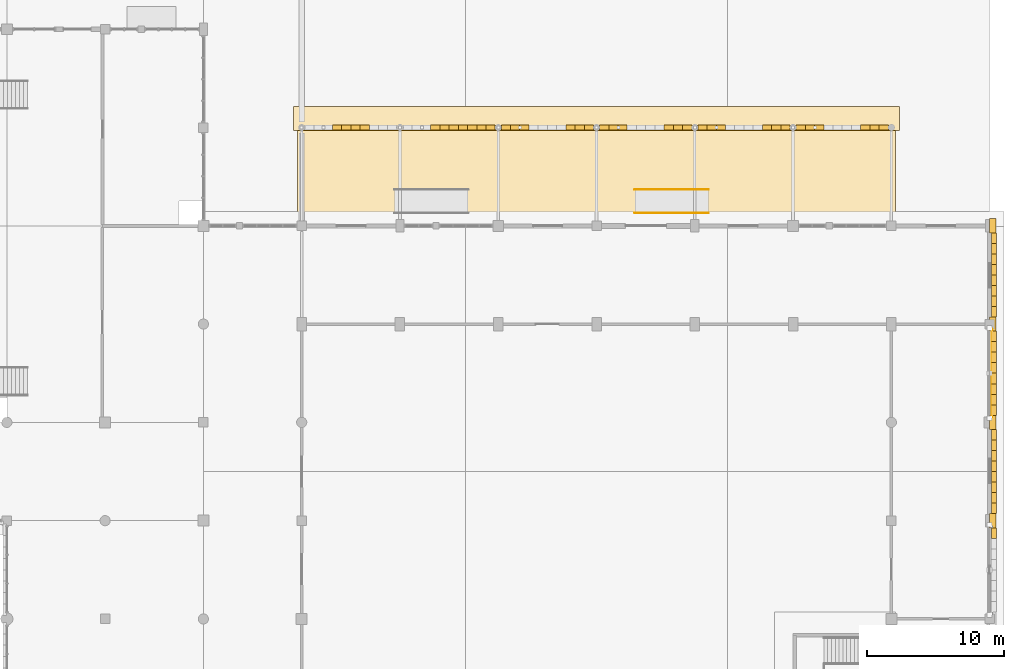
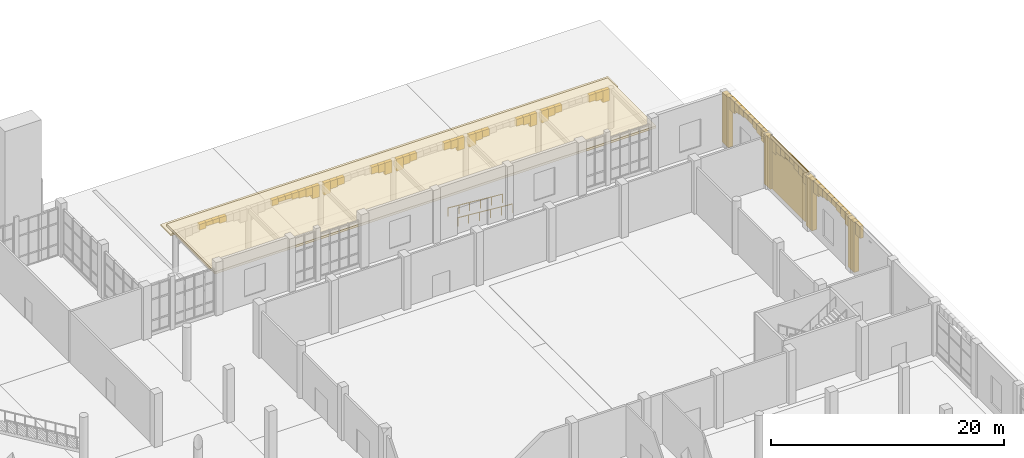
# One storey, part 84 of 85: 67 coverings, 2 railings.
"""IFC4 building model written with IfcOpenShell, lengths in metres."""

from ifc_helpers import new_model, si_unit, direction, frame, frame_2d, origin, origin_2d, place, context, subcontext, project, spatial, polyline, rectangle, circle, outline, extrude, material, layer, layer_set, type_object, element, save


model = new_model("IFC4")

# Units and contexts
model_context = context("Model", 3, precision=1e-05, world=origin(), true_north=direction((0.0, 1.0)))
body_context = subcontext(model_context, "Body", "Model", "MODEL_VIEW")
ifc_project = project(units=[si_unit("LENGTHUNIT", "METRE"), si_unit("AREAUNIT", "SQUARE_METRE"), si_unit("VOLUMEUNIT", "CUBIC_METRE"), si_unit("PLANEANGLEUNIT", "RADIAN"), si_unit("MASSUNIT", "GRAM", prefix="KILO")], contexts=[model_context])

# Site, building, storey
site_placement = place(None, origin())
site = spatial("IfcSite", under=ifc_project, at=site_placement, CompositionType="ELEMENT")
building_placement = place(site_placement, origin())
building = spatial("IfcBuilding", under=site, at=building_placement, Name="Sardonyx Promenade Sports Hall", CompositionType="ELEMENT")
storey_placement = place(building_placement, origin())
storey = spatial("IfcBuildingStorey", under=building, at=storey_placement, Name="L00", CompositionType="ELEMENT", Elevation=0.0)

# Coverings
ifc_material_1 = material(Name="Dressed Cape red sandstone cornice", Category="masonry")
ifc_layer_1 = layer(ifc_material_1, 0.139892578125)
ifc_layer_set_1 = layer_set([ifc_layer_1], Name="Cov_Chhajja_Eave")
covering_type_1 = type_object("IfcCoveringType", Name="Cov_Chhajja_Eave", PredefinedType="MOLDING", material=ifc_layer_set_1)
covering_1_placement = place(storey_placement, frame((0.0, 0.0, 4.050048828125)))
element("IfcCovering", 1, at=covering_1_placement, inside=storey, type_object=covering_type_1, Name="Harbourfront NE riwaq projecting chhajja cornice", PredefinedType="MOLDING", context=body_context, shape_type="SweptSolid", body=[
    extrude(outline(polyline([(114.60009765625, 93.39990234375), (159.0, 93.39990234375), (159.0, 95.14990234375), (114.60009765625, 95.14990234375), (114.60009765625, 93.39990234375)])), origin(), (0.0, 0.0, 1.0), 0.169921875),
])
ifc_material_2 = material(Name="Dressed Cape red sandstone ashlar", Category="masonry")
ifc_layer_2 = layer(ifc_material_2, 0.06005859375)
ifc_layer_set_2 = layer_set([ifc_layer_2], Name="Cov_Cladding_Sandstone")
covering_type_2 = type_object("IfcCoveringType", Name="Cov_Cladding_Sandstone", PredefinedType="CLADDING", material=ifc_layer_set_2)
covering_2_placement = place(storey_placement, frame((165.77490234375, 78.864990234375, 0.050048828125), z_axis=(0.0, 0.0, 1.0), x_axis=(0.0, -1.0, 0.0)))
element("IfcCovering", 2, at=covering_2_placement, inside=storey, type_object=covering_type_2, Name="Dressed sandstone ashlar cladding L00 #93", PredefinedType="CLADDING", context=body_context, shape_type="SweptSolid", body=[
    extrude(rectangle(XDim=6.47998046875, YDim=0.050048828125, at=frame_2d((3.239990234375, 0.0))), origin(), (0.0, 0.0, 1.0), 5.5),
])
covering_3_placement = place(storey_placement, origin())
element("IfcCovering", 3, at=covering_3_placement, inside=storey, type_object=covering_type_2, Name="East sandstone pier casing L00 #9", PredefinedType="CLADDING", context=body_context, shape_type="SweptSolid", body=[
    extrude(outline(polyline([(165.580078125, 64.280029296875), (166.080078125, 64.280029296875), (166.080078125, 65.320068359375), (165.580078125, 65.320068359375), (165.580078125, 64.280029296875)])), origin(), (0.0, 0.0, 1.0), 5.25),
])
covering_4_placement = place(storey_placement, origin())
element("IfcCovering", 4, at=covering_4_placement, inside=storey, type_object=covering_type_2, Name="East sandstone pier casing L00 #10", PredefinedType="CLADDING", context=body_context, shape_type="SweptSolid", body=[
    extrude(outline(polyline([(165.580078125, 71.47998046875), (166.080078125, 71.47998046875), (166.080078125, 72.52001953125), (165.580078125, 72.52001953125), (165.580078125, 71.47998046875)])), origin(), (0.0, 0.0, 1.0), 5.25),
])
covering_5_placement = place(storey_placement, origin())
element("IfcCovering", 5, at=covering_5_placement, inside=storey, type_object=covering_type_2, Name="East sandstone pier casing L00 #11", PredefinedType="CLADDING", context=body_context, shape_type="SweptSolid", body=[
    extrude(outline(polyline([(165.580078125, 78.679931640625), (166.080078125, 78.679931640625), (166.080078125, 79.719970703125), (165.580078125, 79.719970703125), (165.580078125, 78.679931640625)])), origin(), (0.0, 0.0, 1.0), 5.25),
])
covering_6_placement = place(storey_placement, origin())
element("IfcCovering", 6, at=covering_6_placement, inside=storey, type_object=covering_type_2, Name="East sandstone pier casing L00 #12", PredefinedType="CLADDING", context=body_context, shape_type="SweptSolid", body=[
    extrude(outline(polyline([(165.580078125, 85.8798828125), (166.080078125, 85.8798828125), (166.080078125, 86.919921875), (165.580078125, 86.919921875), (165.580078125, 85.8798828125)])), origin(), (0.0, 0.0, 1.0), 5.25),
])
ifc_material_3 = material(Name="Carved Cape red sandstone ashlar", Category="masonry")
ifc_layer_3 = layer(ifc_material_3, 0.239990234375)
ifc_layer_set_3 = layer_set([ifc_layer_3], Name="Cov_Mughal_Arch")
covering_type_3 = type_object("IfcCoveringType", Name="Cov_Mughal_Arch", PredefinedType="CLADDING", material=ifc_layer_set_3)
covering_7_placement = place(storey_placement, frame((117.447998046875, 93.60009765625, 3.63330078125), z_axis=(0.0, 0.0, 1.0), x_axis=(1.0, 0.0, 0.0)))
element("IfcCovering", 7, at=covering_7_placement, inside=storey, type_object=covering_type_3, Name="Mughal pointed-arch spandrel L00 cov:arch:ne:1 #4", PredefinedType="CLADDING", context=body_context, shape_type="SweptSolid", body=[
    extrude(rectangle(XDim=0.676025390625, YDim=0.340087890625, at=frame_2d((0.337890625, 0.0))), origin(), (0.0, 0.0, 1.0), 0.586669921875),
])
for number, where, z_axis, x_axis, name in (
    (8, (118.1240234375, 93.60009765625, 3.81103515625), (0.0, 0.0, 1.0), (1.0, 0.0, 0.0), "Mughal pointed-arch spandrel L00 cov:arch:ne:1 #5"),
    (9, (118.800048828125, 93.60009765625, 3.81103515625), (0.0, 0.0, 1.0), (1.0, 0.0, 0.0), "Mughal pointed-arch spandrel L00 cov:arch:ne:1 #6"),
):
    element("IfcCovering", number, at=place(storey_placement, frame(where, z_axis=z_axis, x_axis=x_axis)), inside=storey, type_object=covering_type_3, Name=name, PredefinedType="CLADDING", context=body_context, shape_type="SweptSolid", body=[
        extrude(rectangle(XDim=0.676025390625, YDim=0.340087890625, at=frame_2d((0.337890625, 0.0))), origin(), (0.0, 0.0, 1.0), 0.408935546875),
    ])
for number, where, z_axis, x_axis, name in (
    (10, (119.47607421875, 93.60009765625, 3.63330078125), (0.0, 0.0, 1.0), (1.0, 0.0, 0.0), "Mughal pointed-arch spandrel L00 cov:arch:ne:1 #7"),
    (11, (124.64794921875, 93.60009765625, 3.63330078125), (0.0, 0.0, 1.0), (1.0, 0.0, 0.0), "Mughal pointed-arch spandrel L00 cov:arch:ne:2 #4"),
):
    element("IfcCovering", number, at=place(storey_placement, frame(where, z_axis=z_axis, x_axis=x_axis)), inside=storey, type_object=covering_type_3, Name=name, PredefinedType="CLADDING", context=body_context, shape_type="SweptSolid", body=[
        extrude(rectangle(XDim=0.676025390625, YDim=0.340087890625, at=frame_2d((0.337890625, 0.0))), origin(), (0.0, 0.0, 1.0), 0.586669921875),
    ])
for number, where, z_axis, x_axis, name in (
    (12, (125.323974609375, 93.60009765625, 3.81103515625), (0.0, 0.0, 1.0), (1.0, 0.0, 0.0), "Mughal pointed-arch spandrel L00 cov:arch:ne:2 #5"),
    (13, (126.0, 93.60009765625, 3.81103515625), (0.0, 0.0, 1.0), (1.0, 0.0, 0.0), "Mughal pointed-arch spandrel L00 cov:arch:ne:2 #6"),
):
    element("IfcCovering", number, at=place(storey_placement, frame(where, z_axis=z_axis, x_axis=x_axis)), inside=storey, type_object=covering_type_3, Name=name, PredefinedType="CLADDING", context=body_context, shape_type="SweptSolid", body=[
        extrude(rectangle(XDim=0.676025390625, YDim=0.340087890625, at=frame_2d((0.337890625, 0.0))), origin(), (0.0, 0.0, 1.0), 0.408935546875),
    ])
covering_8_placement = place(storey_placement, frame((126.676025390625, 93.60009765625, 3.63330078125), z_axis=(0.0, 0.0, 1.0), x_axis=(1.0, 0.0, 0.0)))
element("IfcCovering", 14, at=covering_8_placement, inside=storey, type_object=covering_type_3, Name="Mughal pointed-arch spandrel L00 cov:arch:ne:2 #7", PredefinedType="CLADDING", context=body_context, shape_type="SweptSolid", body=[
    extrude(rectangle(XDim=0.676025390625, YDim=0.340087890625, at=frame_2d((0.337890625, 0.0))), origin(), (0.0, 0.0, 1.0), 0.586669921875),
])
covering_9_placement = place(storey_placement, frame((127.35205078125, 93.60009765625, 3.506103515625), z_axis=(0.0, 0.0, 1.0), x_axis=(1.0, 0.0, 0.0)))
element("IfcCovering", 15, at=covering_9_placement, inside=storey, type_object=covering_type_3, Name="Mughal pointed-arch spandrel L00 cov:arch:ne:2 #8", PredefinedType="CLADDING", context=body_context, shape_type="SweptSolid", body=[
    extrude(rectangle(XDim=0.676025390625, YDim=0.340087890625, at=frame_2d((0.337890625, 0.0))), origin(), (0.0, 0.0, 1.0), 0.7138671875),
])
covering_10_placement = place(storey_placement, frame((128.028076171875, 93.60009765625, 3.38671875), z_axis=(0.0, 0.0, 1.0), x_axis=(1.0, 0.0, 0.0)))
element("IfcCovering", 16, at=covering_10_placement, inside=storey, type_object=covering_type_3, Name="Mughal pointed-arch spandrel L00 cov:arch:ne:2 #9", PredefinedType="CLADDING", context=body_context, shape_type="SweptSolid", body=[
    extrude(rectangle(XDim=0.676025390625, YDim=0.340087890625, at=frame_2d((0.337890625, 0.0))), origin(), (0.0, 0.0, 1.0), 0.833251953125),
])
covering_11_placement = place(storey_placement, frame((128.7041015625, 93.60009765625, 2.977783203125), z_axis=(0.0, 0.0, 1.0), x_axis=(1.0, 0.0, 0.0)))
element("IfcCovering", 17, at=covering_11_placement, inside=storey, type_object=covering_type_3, Name="Mughal pointed-arch spandrel L00 cov:arch:ne:2 #10", PredefinedType="CLADDING", context=body_context, shape_type="SweptSolid", body=[
    extrude(rectangle(XDim=0.67578125, YDim=0.340087890625, at=frame_2d((0.337890625, 0.0))), origin(), (0.0, 0.0, 1.0), 1.2421875),
])
covering_12_placement = place(storey_placement, frame((129.820068359375, 93.60009765625, 2.977783203125), z_axis=(0.0, 0.0, 1.0), x_axis=(1.0, 0.0, 0.0)))
element("IfcCovering", 18, at=covering_12_placement, inside=storey, type_object=covering_type_3, Name="Mughal pointed-arch spandrel L00 cov:arch:ne:3 #1", PredefinedType="CLADDING", context=body_context, shape_type="SweptSolid", body=[
    extrude(rectangle(XDim=0.676025390625, YDim=0.340087890625, at=frame_2d((0.337890625, 0.0))), origin(), (0.0, 0.0, 1.0), 1.2421875),
])
covering_13_placement = place(storey_placement, frame((130.49609375, 93.60009765625, 3.38671875), z_axis=(0.0, 0.0, 1.0), x_axis=(1.0, 0.0, 0.0)))
element("IfcCovering", 19, at=covering_13_placement, inside=storey, type_object=covering_type_3, Name="Mughal pointed-arch spandrel L00 cov:arch:ne:3 #2", PredefinedType="CLADDING", context=body_context, shape_type="SweptSolid", body=[
    extrude(rectangle(XDim=0.676025390625, YDim=0.340087890625, at=frame_2d((0.337890625, 0.0))), origin(), (0.0, 0.0, 1.0), 0.833251953125),
])
covering_14_placement = place(storey_placement, frame((131.172119140625, 93.60009765625, 3.506103515625), z_axis=(0.0, 0.0, 1.0), x_axis=(1.0, 0.0, 0.0)))
element("IfcCovering", 20, at=covering_14_placement, inside=storey, type_object=covering_type_3, Name="Mughal pointed-arch spandrel L00 cov:arch:ne:3 #3", PredefinedType="CLADDING", context=body_context, shape_type="SweptSolid", body=[
    extrude(rectangle(XDim=0.67578125, YDim=0.340087890625, at=frame_2d((0.337890625, 0.0))), origin(), (0.0, 0.0, 1.0), 0.7138671875),
])
covering_15_placement = place(storey_placement, frame((134.552001953125, 93.60009765625, 3.506103515625), z_axis=(0.0, 0.0, 1.0), x_axis=(1.0, 0.0, 0.0)))
element("IfcCovering", 21, at=covering_15_placement, inside=storey, type_object=covering_type_3, Name="Mughal pointed-arch spandrel L00 cov:arch:ne:3 #8", PredefinedType="CLADDING", context=body_context, shape_type="SweptSolid", body=[
    extrude(rectangle(XDim=0.676025390625, YDim=0.340087890625, at=frame_2d((0.337890625, 0.0))), origin(), (0.0, 0.0, 1.0), 0.7138671875),
])
covering_16_placement = place(storey_placement, frame((135.22802734375, 93.60009765625, 3.38671875), z_axis=(0.0, 0.0, 1.0), x_axis=(1.0, 0.0, 0.0)))
element("IfcCovering", 22, at=covering_16_placement, inside=storey, type_object=covering_type_3, Name="Mughal pointed-arch spandrel L00 cov:arch:ne:3 #9", PredefinedType="CLADDING", context=body_context, shape_type="SweptSolid", body=[
    extrude(rectangle(XDim=0.676025390625, YDim=0.340087890625, at=frame_2d((0.337890625, 0.0))), origin(), (0.0, 0.0, 1.0), 0.833251953125),
])
for number, where, z_axis, x_axis, name in (
    (23, (135.904052734375, 93.60009765625, 2.977783203125), (0.0, 0.0, 1.0), (1.0, 0.0, 0.0), "Mughal pointed-arch spandrel L00 cov:arch:ne:3 #10"),
    (24, (137.02001953125, 93.60009765625, 2.977783203125), (0.0, 0.0, 1.0), (1.0, 0.0, 0.0), "Mughal pointed-arch spandrel L00 cov:arch:ne:4 #1"),
):
    element("IfcCovering", number, at=place(storey_placement, frame(where, z_axis=z_axis, x_axis=x_axis)), inside=storey, type_object=covering_type_3, Name=name, PredefinedType="CLADDING", context=body_context, shape_type="SweptSolid", body=[
        extrude(rectangle(XDim=0.676025390625, YDim=0.340087890625, at=frame_2d((0.337890625, 0.0))), origin(), (0.0, 0.0, 1.0), 1.2421875),
    ])
covering_17_placement = place(storey_placement, frame((137.696044921875, 93.60009765625, 3.38671875), z_axis=(0.0, 0.0, 1.0), x_axis=(1.0, 0.0, 0.0)))
element("IfcCovering", 25, at=covering_17_placement, inside=storey, type_object=covering_type_3, Name="Mughal pointed-arch spandrel L00 cov:arch:ne:4 #2", PredefinedType="CLADDING", context=body_context, shape_type="SweptSolid", body=[
    extrude(rectangle(XDim=0.676025390625, YDim=0.340087890625, at=frame_2d((0.337890625, 0.0))), origin(), (0.0, 0.0, 1.0), 0.833251953125),
])
for number, where, z_axis, x_axis, name in (
    (26, (138.3720703125, 93.60009765625, 3.506103515625), (0.0, 0.0, 1.0), (1.0, 0.0, 0.0), "Mughal pointed-arch spandrel L00 cov:arch:ne:4 #3"),
    (27, (141.751953125, 93.60009765625, 3.506103515625), (0.0, 0.0, 1.0), (1.0, 0.0, 0.0), "Mughal pointed-arch spandrel L00 cov:arch:ne:4 #8"),
):
    element("IfcCovering", number, at=place(storey_placement, frame(where, z_axis=z_axis, x_axis=x_axis)), inside=storey, type_object=covering_type_3, Name=name, PredefinedType="CLADDING", context=body_context, shape_type="SweptSolid", body=[
        extrude(rectangle(XDim=0.676025390625, YDim=0.340087890625, at=frame_2d((0.337890625, 0.0))), origin(), (0.0, 0.0, 1.0), 0.7138671875),
    ])
covering_18_placement = place(storey_placement, frame((142.427978515625, 93.60009765625, 3.38671875), z_axis=(0.0, 0.0, 1.0), x_axis=(1.0, 0.0, 0.0)))
element("IfcCovering", 28, at=covering_18_placement, inside=storey, type_object=covering_type_3, Name="Mughal pointed-arch spandrel L00 cov:arch:ne:4 #9", PredefinedType="CLADDING", context=body_context, shape_type="SweptSolid", body=[
    extrude(rectangle(XDim=0.676025390625, YDim=0.340087890625, at=frame_2d((0.337890625, 0.0))), origin(), (0.0, 0.0, 1.0), 0.833251953125),
])
for number, where, z_axis, x_axis, name in (
    (29, (143.10400390625, 93.60009765625, 2.977783203125), (0.0, 0.0, 1.0), (1.0, 0.0, 0.0), "Mughal pointed-arch spandrel L00 cov:arch:ne:4 #10"),
    (30, (144.219970703125, 93.60009765625, 2.977783203125), (0.0, 0.0, 1.0), (1.0, 0.0, 0.0), "Mughal pointed-arch spandrel L00 cov:arch:ne:5 #1"),
):
    element("IfcCovering", number, at=place(storey_placement, frame(where, z_axis=z_axis, x_axis=x_axis)), inside=storey, type_object=covering_type_3, Name=name, PredefinedType="CLADDING", context=body_context, shape_type="SweptSolid", body=[
        extrude(rectangle(XDim=0.676025390625, YDim=0.340087890625, at=frame_2d((0.337890625, 0.0))), origin(), (0.0, 0.0, 1.0), 1.2421875),
    ])
covering_19_placement = place(storey_placement, frame((144.89599609375, 93.60009765625, 3.38671875), z_axis=(0.0, 0.0, 1.0), x_axis=(1.0, 0.0, 0.0)))
element("IfcCovering", 31, at=covering_19_placement, inside=storey, type_object=covering_type_3, Name="Mughal pointed-arch spandrel L00 cov:arch:ne:5 #2", PredefinedType="CLADDING", context=body_context, shape_type="SweptSolid", body=[
    extrude(rectangle(XDim=0.676025390625, YDim=0.340087890625, at=frame_2d((0.337890625, 0.0))), origin(), (0.0, 0.0, 1.0), 0.833251953125),
])
for number, where, z_axis, x_axis, name in (
    (32, (145.572021484375, 93.60009765625, 3.506103515625), (0.0, 0.0, 1.0), (1.0, 0.0, 0.0), "Mughal pointed-arch spandrel L00 cov:arch:ne:5 #3"),
    (33, (148.951904296875, 93.60009765625, 3.506103515625), (0.0, 0.0, 1.0), (1.0, 0.0, 0.0), "Mughal pointed-arch spandrel L00 cov:arch:ne:5 #8"),
):
    element("IfcCovering", number, at=place(storey_placement, frame(where, z_axis=z_axis, x_axis=x_axis)), inside=storey, type_object=covering_type_3, Name=name, PredefinedType="CLADDING", context=body_context, shape_type="SweptSolid", body=[
        extrude(rectangle(XDim=0.676025390625, YDim=0.340087890625, at=frame_2d((0.337890625, 0.0))), origin(), (0.0, 0.0, 1.0), 0.7138671875),
    ])
covering_20_placement = place(storey_placement, frame((149.6279296875, 93.60009765625, 3.38671875), z_axis=(0.0, 0.0, 1.0), x_axis=(1.0, 0.0, 0.0)))
element("IfcCovering", 34, at=covering_20_placement, inside=storey, type_object=covering_type_3, Name="Mughal pointed-arch spandrel L00 cov:arch:ne:5 #9", PredefinedType="CLADDING", context=body_context, shape_type="SweptSolid", body=[
    extrude(rectangle(XDim=0.676025390625, YDim=0.340087890625, at=frame_2d((0.337890625, 0.0))), origin(), (0.0, 0.0, 1.0), 0.833251953125),
])
for number, where, z_axis, x_axis, name in (
    (35, (150.303955078125, 93.60009765625, 2.977783203125), (0.0, 0.0, 1.0), (1.0, 0.0, 0.0), "Mughal pointed-arch spandrel L00 cov:arch:ne:5 #10"),
    (36, (151.419921875, 93.60009765625, 2.977783203125), (0.0, 0.0, 1.0), (1.0, 0.0, 0.0), "Mughal pointed-arch spandrel L00 cov:arch:ne:6 #1"),
):
    element("IfcCovering", number, at=place(storey_placement, frame(where, z_axis=z_axis, x_axis=x_axis)), inside=storey, type_object=covering_type_3, Name=name, PredefinedType="CLADDING", context=body_context, shape_type="SweptSolid", body=[
        extrude(rectangle(XDim=0.676025390625, YDim=0.340087890625, at=frame_2d((0.337890625, 0.0))), origin(), (0.0, 0.0, 1.0), 1.2421875),
    ])
covering_21_placement = place(storey_placement, frame((152.095947265625, 93.60009765625, 3.38671875), z_axis=(0.0, 0.0, 1.0), x_axis=(1.0, 0.0, 0.0)))
element("IfcCovering", 37, at=covering_21_placement, inside=storey, type_object=covering_type_3, Name="Mughal pointed-arch spandrel L00 cov:arch:ne:6 #2", PredefinedType="CLADDING", context=body_context, shape_type="SweptSolid", body=[
    extrude(rectangle(XDim=0.676025390625, YDim=0.340087890625, at=frame_2d((0.337890625, 0.0))), origin(), (0.0, 0.0, 1.0), 0.833251953125),
])
covering_22_placement = place(storey_placement, frame((152.77197265625, 93.60009765625, 3.506103515625), z_axis=(0.0, 0.0, 1.0), x_axis=(1.0, 0.0, 0.0)))
element("IfcCovering", 38, at=covering_22_placement, inside=storey, type_object=covering_type_3, Name="Mughal pointed-arch spandrel L00 cov:arch:ne:6 #3", PredefinedType="CLADDING", context=body_context, shape_type="SweptSolid", body=[
    extrude(rectangle(XDim=0.676025390625, YDim=0.340087890625, at=frame_2d((0.337890625, 0.0))), origin(), (0.0, 0.0, 1.0), 0.7138671875),
])
covering_23_placement = place(storey_placement, frame((156.152099609375, 93.60009765625, 3.506103515625), z_axis=(0.0, 0.0, 1.0), x_axis=(1.0, 0.0, 0.0)))
element("IfcCovering", 39, at=covering_23_placement, inside=storey, type_object=covering_type_3, Name="Mughal pointed-arch spandrel L00 cov:arch:ne:6 #8", PredefinedType="CLADDING", context=body_context, shape_type="SweptSolid", body=[
    extrude(rectangle(XDim=0.67578125, YDim=0.340087890625, at=frame_2d((0.337890625, 0.0))), origin(), (0.0, 0.0, 1.0), 0.7138671875),
])
covering_24_placement = place(storey_placement, frame((156.827880859375, 93.60009765625, 3.38671875), z_axis=(0.0, 0.0, 1.0), x_axis=(1.0, 0.0, 0.0)))
element("IfcCovering", 40, at=covering_24_placement, inside=storey, type_object=covering_type_3, Name="Mughal pointed-arch spandrel L00 cov:arch:ne:6 #9", PredefinedType="CLADDING", context=body_context, shape_type="SweptSolid", body=[
    extrude(rectangle(XDim=0.676025390625, YDim=0.340087890625, at=frame_2d((0.337890625, 0.0))), origin(), (0.0, 0.0, 1.0), 0.833251953125),
])
covering_25_placement = place(storey_placement, frame((157.50390625, 93.60009765625, 2.977783203125), z_axis=(0.0, 0.0, 1.0), x_axis=(1.0, 0.0, 0.0)))
element("IfcCovering", 41, at=covering_25_placement, inside=storey, type_object=covering_type_3, Name="Mughal pointed-arch spandrel L00 cov:arch:ne:6 #10", PredefinedType="CLADDING", context=body_context, shape_type="SweptSolid", body=[
    extrude(rectangle(XDim=0.676025390625, YDim=0.340087890625, at=frame_2d((0.337890625, 0.0))), origin(), (0.0, 0.0, 1.0), 1.2421875),
])
for number, where, z_axis, x_axis, name in (
    (42, (165.919921875, 63.510009765625, 3.977783203125), (0.0, 0.0, 1.0), (0.0, 1.0, 0.0), "Mughal pointed-arch spandrel L00 cov:el00arch:08 #8"),
    (43, (165.919921875, 65.320068359375, 3.977783203125), (0.0, 0.0, 1.0), (0.0, 1.0, 0.0), "Mughal pointed-arch spandrel L00 cov:el00arch:09 #1"),
):
    element("IfcCovering", number, at=place(storey_placement, frame(where, z_axis=z_axis, x_axis=x_axis)), inside=storey, type_object=covering_type_3, Name=name, PredefinedType="CLADDING", context=body_context, shape_type="SweptSolid", body=[
        extrude(rectangle(XDim=0.77001953125, YDim=0.340087890625, at=frame_2d((0.385009765625, 0.0))), origin(), (0.0, 0.0, 1.0), 1.272216796875),
    ])
covering_26_placement = place(storey_placement, frame((165.919921875, 66.090087890625, 4.3671875), z_axis=(0.0, 0.0, 1.0), x_axis=(0.0, 1.0, 0.0)))
element("IfcCovering", 44, at=covering_26_placement, inside=storey, type_object=covering_type_3, Name="Mughal pointed-arch spandrel L00 cov:el00arch:09 #2", PredefinedType="CLADDING", context=body_context, shape_type="SweptSolid", body=[
    extrude(rectangle(XDim=0.77001953125, YDim=0.340087890625, at=frame_2d((0.385009765625, 0.0))), origin(), (0.0, 0.0, 1.0), 0.8828125),
])
covering_27_placement = place(storey_placement, frame((165.919921875, 66.860107421875, 4.51220703125), z_axis=(0.0, 0.0, 1.0), x_axis=(0.0, 1.0, 0.0)))
element("IfcCovering", 45, at=covering_27_placement, inside=storey, type_object=covering_type_3, Name="Mughal pointed-arch spandrel L00 cov:el00arch:09 #3", PredefinedType="CLADDING", context=body_context, shape_type="SweptSolid", body=[
    extrude(rectangle(XDim=0.769775390625, YDim=0.340087890625, at=frame_2d((0.384765625, 0.0))), origin(), (0.0, 0.0, 1.0), 0.73779296875),
])
for number, where, z_axis, x_axis, name in (
    (46, (165.919921875, 67.6298828125, 4.69775390625), (0.0, 0.0, 1.0), (0.0, 1.0, 0.0), "Mughal pointed-arch spandrel L00 cov:el00arch:09 #4"),
    (47, (165.919921875, 68.39990234375, 4.69775390625), (0.0, 0.0, 1.0), (0.0, 1.0, 0.0), "Mughal pointed-arch spandrel L00 cov:el00arch:09 #5"),
):
    element("IfcCovering", number, at=place(storey_placement, frame(where, z_axis=z_axis, x_axis=x_axis)), inside=storey, type_object=covering_type_3, Name=name, PredefinedType="CLADDING", context=body_context, shape_type="SweptSolid", body=[
        extrude(rectangle(XDim=0.77001953125, YDim=0.340087890625, at=frame_2d((0.385009765625, 0.0))), origin(), (0.0, 0.0, 1.0), 0.55224609375),
    ])
covering_28_placement = place(storey_placement, frame((165.919921875, 69.169921875, 4.51220703125), z_axis=(0.0, 0.0, 1.0), x_axis=(0.0, 1.0, 0.0)))
element("IfcCovering", 48, at=covering_28_placement, inside=storey, type_object=covering_type_3, Name="Mughal pointed-arch spandrel L00 cov:el00arch:09 #6", PredefinedType="CLADDING", context=body_context, shape_type="SweptSolid", body=[
    extrude(rectangle(XDim=0.77001953125, YDim=0.340087890625, at=frame_2d((0.385009765625, 0.0))), origin(), (0.0, 0.0, 1.0), 0.73779296875),
])
covering_29_placement = place(storey_placement, frame((165.919921875, 69.93994140625, 4.3671875), z_axis=(0.0, 0.0, 1.0), x_axis=(0.0, 1.0, 0.0)))
element("IfcCovering", 49, at=covering_29_placement, inside=storey, type_object=covering_type_3, Name="Mughal pointed-arch spandrel L00 cov:el00arch:09 #7", PredefinedType="CLADDING", context=body_context, shape_type="SweptSolid", body=[
    extrude(rectangle(XDim=0.77001953125, YDim=0.340087890625, at=frame_2d((0.385009765625, 0.0))), origin(), (0.0, 0.0, 1.0), 0.8828125),
])
for number, where, z_axis, x_axis, name in (
    (50, (165.919921875, 70.7099609375, 3.977783203125), (0.0, 0.0, 1.0), (0.0, 1.0, 0.0), "Mughal pointed-arch spandrel L00 cov:el00arch:09 #8"),
    (51, (165.919921875, 72.52001953125, 3.977783203125), (0.0, 0.0, 1.0), (0.0, 1.0, 0.0), "Mughal pointed-arch spandrel L00 cov:el00arch:10 #1"),
):
    element("IfcCovering", number, at=place(storey_placement, frame(where, z_axis=z_axis, x_axis=x_axis)), inside=storey, type_object=covering_type_3, Name=name, PredefinedType="CLADDING", context=body_context, shape_type="SweptSolid", body=[
        extrude(rectangle(XDim=0.77001953125, YDim=0.340087890625, at=frame_2d((0.385009765625, 0.0))), origin(), (0.0, 0.0, 1.0), 1.272216796875),
    ])
covering_30_placement = place(storey_placement, frame((165.919921875, 73.2900390625, 4.3671875), z_axis=(0.0, 0.0, 1.0), x_axis=(0.0, 1.0, 0.0)))
element("IfcCovering", 52, at=covering_30_placement, inside=storey, type_object=covering_type_3, Name="Mughal pointed-arch spandrel L00 cov:el00arch:10 #2", PredefinedType="CLADDING", context=body_context, shape_type="SweptSolid", body=[
    extrude(rectangle(XDim=0.77001953125, YDim=0.340087890625, at=frame_2d((0.385009765625, 0.0))), origin(), (0.0, 0.0, 1.0), 0.8828125),
])
covering_31_placement = place(storey_placement, frame((165.919921875, 74.06005859375, 4.51220703125), z_axis=(0.0, 0.0, 1.0), x_axis=(0.0, 1.0, 0.0)))
element("IfcCovering", 53, at=covering_31_placement, inside=storey, type_object=covering_type_3, Name="Mughal pointed-arch spandrel L00 cov:el00arch:10 #3", PredefinedType="CLADDING", context=body_context, shape_type="SweptSolid", body=[
    extrude(rectangle(XDim=0.77001953125, YDim=0.340087890625, at=frame_2d((0.385009765625, 0.0))), origin(), (0.0, 0.0, 1.0), 0.73779296875),
])
for number, where, z_axis, x_axis, name in (
    (54, (165.919921875, 74.830078125, 4.69775390625), (0.0, 0.0, 1.0), (0.0, 1.0, 0.0), "Mughal pointed-arch spandrel L00 cov:el00arch:10 #4"),
    (55, (165.919921875, 75.60009765625, 4.69775390625), (0.0, 0.0, 1.0), (0.0, 1.0, 0.0), "Mughal pointed-arch spandrel L00 cov:el00arch:10 #5"),
):
    element("IfcCovering", number, at=place(storey_placement, frame(where, z_axis=z_axis, x_axis=x_axis)), inside=storey, type_object=covering_type_3, Name=name, PredefinedType="CLADDING", context=body_context, shape_type="SweptSolid", body=[
        extrude(rectangle(XDim=0.77001953125, YDim=0.340087890625, at=frame_2d((0.385009765625, 0.0))), origin(), (0.0, 0.0, 1.0), 0.55224609375),
    ])
covering_32_placement = place(storey_placement, frame((165.919921875, 76.3701171875, 4.51220703125), z_axis=(0.0, 0.0, 1.0), x_axis=(0.0, 1.0, 0.0)))
element("IfcCovering", 56, at=covering_32_placement, inside=storey, type_object=covering_type_3, Name="Mughal pointed-arch spandrel L00 cov:el00arch:10 #6", PredefinedType="CLADDING", context=body_context, shape_type="SweptSolid", body=[
    extrude(rectangle(XDim=0.769775390625, YDim=0.340087890625, at=frame_2d((0.384765625, 0.0))), origin(), (0.0, 0.0, 1.0), 0.73779296875),
])
covering_33_placement = place(storey_placement, frame((165.919921875, 77.139892578125, 4.3671875), z_axis=(0.0, 0.0, 1.0), x_axis=(0.0, 1.0, 0.0)))
element("IfcCovering", 57, at=covering_33_placement, inside=storey, type_object=covering_type_3, Name="Mughal pointed-arch spandrel L00 cov:el00arch:10 #7", PredefinedType="CLADDING", context=body_context, shape_type="SweptSolid", body=[
    extrude(rectangle(XDim=0.77001953125, YDim=0.340087890625, at=frame_2d((0.385009765625, 0.0))), origin(), (0.0, 0.0, 1.0), 0.8828125),
])
for number, where, z_axis, x_axis, name in (
    (58, (165.919921875, 77.909912109375, 3.977783203125), (0.0, 0.0, 1.0), (0.0, 1.0, 0.0), "Mughal pointed-arch spandrel L00 cov:el00arch:10 #8"),
    (59, (165.919921875, 79.719970703125, 3.977783203125), (0.0, 0.0, 1.0), (0.0, 1.0, 0.0), "Mughal pointed-arch spandrel L00 cov:el00arch:11 #1"),
):
    element("IfcCovering", number, at=place(storey_placement, frame(where, z_axis=z_axis, x_axis=x_axis)), inside=storey, type_object=covering_type_3, Name=name, PredefinedType="CLADDING", context=body_context, shape_type="SweptSolid", body=[
        extrude(rectangle(XDim=0.77001953125, YDim=0.340087890625, at=frame_2d((0.385009765625, 0.0))), origin(), (0.0, 0.0, 1.0), 1.272216796875),
    ])
covering_34_placement = place(storey_placement, frame((165.919921875, 80.489990234375, 4.3671875), z_axis=(0.0, 0.0, 1.0), x_axis=(0.0, 1.0, 0.0)))
element("IfcCovering", 60, at=covering_34_placement, inside=storey, type_object=covering_type_3, Name="Mughal pointed-arch spandrel L00 cov:el00arch:11 #2", PredefinedType="CLADDING", context=body_context, shape_type="SweptSolid", body=[
    extrude(rectangle(XDim=0.77001953125, YDim=0.340087890625, at=frame_2d((0.385009765625, 0.0))), origin(), (0.0, 0.0, 1.0), 0.8828125),
])
covering_35_placement = place(storey_placement, frame((165.919921875, 81.260009765625, 4.51220703125), z_axis=(0.0, 0.0, 1.0), x_axis=(0.0, 1.0, 0.0)))
element("IfcCovering", 61, at=covering_35_placement, inside=storey, type_object=covering_type_3, Name="Mughal pointed-arch spandrel L00 cov:el00arch:11 #3", PredefinedType="CLADDING", context=body_context, shape_type="SweptSolid", body=[
    extrude(rectangle(XDim=0.77001953125, YDim=0.340087890625, at=frame_2d((0.385009765625, 0.0))), origin(), (0.0, 0.0, 1.0), 0.73779296875),
])
for number, where, z_axis, x_axis, name in (
    (62, (165.919921875, 82.030029296875, 4.69775390625), (0.0, 0.0, 1.0), (0.0, 1.0, 0.0), "Mughal pointed-arch spandrel L00 cov:el00arch:11 #4"),
    (63, (165.919921875, 82.800048828125, 4.69775390625), (0.0, 0.0, 1.0), (0.0, 1.0, 0.0), "Mughal pointed-arch spandrel L00 cov:el00arch:11 #5"),
):
    element("IfcCovering", number, at=place(storey_placement, frame(where, z_axis=z_axis, x_axis=x_axis)), inside=storey, type_object=covering_type_3, Name=name, PredefinedType="CLADDING", context=body_context, shape_type="SweptSolid", body=[
        extrude(rectangle(XDim=0.77001953125, YDim=0.340087890625, at=frame_2d((0.385009765625, 0.0))), origin(), (0.0, 0.0, 1.0), 0.55224609375),
    ])
covering_36_placement = place(storey_placement, frame((165.919921875, 83.570068359375, 4.51220703125), z_axis=(0.0, 0.0, 1.0), x_axis=(0.0, 1.0, 0.0)))
element("IfcCovering", 64, at=covering_36_placement, inside=storey, type_object=covering_type_3, Name="Mughal pointed-arch spandrel L00 cov:el00arch:11 #6", PredefinedType="CLADDING", context=body_context, shape_type="SweptSolid", body=[
    extrude(rectangle(XDim=0.77001953125, YDim=0.340087890625, at=frame_2d((0.385009765625, 0.0))), origin(), (0.0, 0.0, 1.0), 0.73779296875),
])
covering_37_placement = place(storey_placement, frame((165.919921875, 84.340087890625, 4.3671875), z_axis=(0.0, 0.0, 1.0), x_axis=(0.0, 1.0, 0.0)))
element("IfcCovering", 65, at=covering_37_placement, inside=storey, type_object=covering_type_3, Name="Mughal pointed-arch spandrel L00 cov:el00arch:11 #7", PredefinedType="CLADDING", context=body_context, shape_type="SweptSolid", body=[
    extrude(rectangle(XDim=0.77001953125, YDim=0.340087890625, at=frame_2d((0.385009765625, 0.0))), origin(), (0.0, 0.0, 1.0), 0.8828125),
])
covering_38_placement = place(storey_placement, frame((165.919921875, 85.110107421875, 3.977783203125), z_axis=(0.0, 0.0, 1.0), x_axis=(0.0, 1.0, 0.0)))
element("IfcCovering", 66, at=covering_38_placement, inside=storey, type_object=covering_type_3, Name="Mughal pointed-arch spandrel L00 cov:el00arch:11 #8", PredefinedType="CLADDING", context=body_context, shape_type="SweptSolid", body=[
    extrude(rectangle(XDim=0.769775390625, YDim=0.340087890625, at=frame_2d((0.384765625, 0.0))), origin(), (0.0, 0.0, 1.0), 1.272216796875),
])
ifc_material_4 = material(Name="TPO insulated waterproof roofing membrane", Category="other")
ifc_layer_4 = layer(ifc_material_4, 0.080078125)
ifc_layer_set_4 = layer_set([ifc_layer_4], Name="Cov_Roofing_Membrane")
covering_type_4 = type_object("IfcCoveringType", Name="Cov_Roofing_Membrane", PredefinedType="ROOFING", material=ifc_layer_set_4)
covering_39_placement = place(storey_placement, frame((0.0, 0.0, 4.199951171875)))
element("IfcCovering", 67, at=covering_39_placement, inside=storey, type_object=covering_type_4, Name="Harbourfront NE riwaq colonnade canopy roof", PredefinedType="ROOFING", context=body_context, shape_type="SweptSolid", body=[
    extrude(outline(polyline([(114.89990234375, 86.35009765625), (158.699951171875, 86.35009765625), (158.699951171875, 94.64990234375), (114.89990234375, 94.64990234375), (114.89990234375, 86.35009765625)])), origin(), (0.0, 0.0, 1.0), 0.239990234375),
])

# Railings
ifc_material_5 = material(Name="Stainless steel Grade 316", Category="steel")
railing_type = type_object("IfcRailingType", Name="Rail_Ext_Handrail_900", PredefinedType="HANDRAIL", material=ifc_material_5)
for number, where, name in (
    (68, (145.0, 87.35009765625, -0.449951171875), "Ramp handrail HR01 #5S"),
    (69, (145.0, 89.050048828125, -0.449951171875), "Ramp handrail HR01 #5N"),
):
    element("IfcRailing", number, at=place(storey_placement, frame(where)), inside=storey, type_object=railing_type, Name=name, PredefinedType="HANDRAIL", context=body_context, shape_type="SweptSolid", body=[
        extrude(circle(Radius=0.02392578125, at=origin_2d()), frame((0.0, 0.0, 0.8759765625), z_axis=(-0.996546379678, 0.0, 0.083038022323), x_axis=(0.0, -1.0, 0.0)), (0.0, 0.0, 1.0), 5.418701171875),
        extrude(circle(Radius=0.02099609375, at=origin_2d()), origin(), (0.0, 0.0, 1.0), 0.851806640625),
        extrude(circle(Radius=0.02099609375, at=origin_2d()), frame((-1.080078125, 0.0, 0.090087890625)), (0.0, 0.0, 1.0), 0.851806640625),
        extrude(circle(Radius=0.02099609375, at=origin_2d()), frame((-2.159912109375, 0.0, 0.179931640625)), (0.0, 0.0, 1.0), 0.851806640625),
        extrude(circle(Radius=0.02099609375, at=origin_2d()), frame((-3.239990234375, 0.0, 0.27001953125)), (0.0, 0.0, 1.0), 0.851806640625),
        extrude(circle(Radius=0.02099609375, at=origin_2d()), frame((-4.31982421875, 0.0, 0.35986328125)), (0.0, 0.0, 1.0), 0.851806640625),
        extrude(circle(Radius=0.02099609375, at=origin_2d()), frame((-5.39990234375, 0.0, 0.449951171875)), (0.0, 0.0, 1.0), 0.851806640625),
    ])

save(model, "model.ifc")
